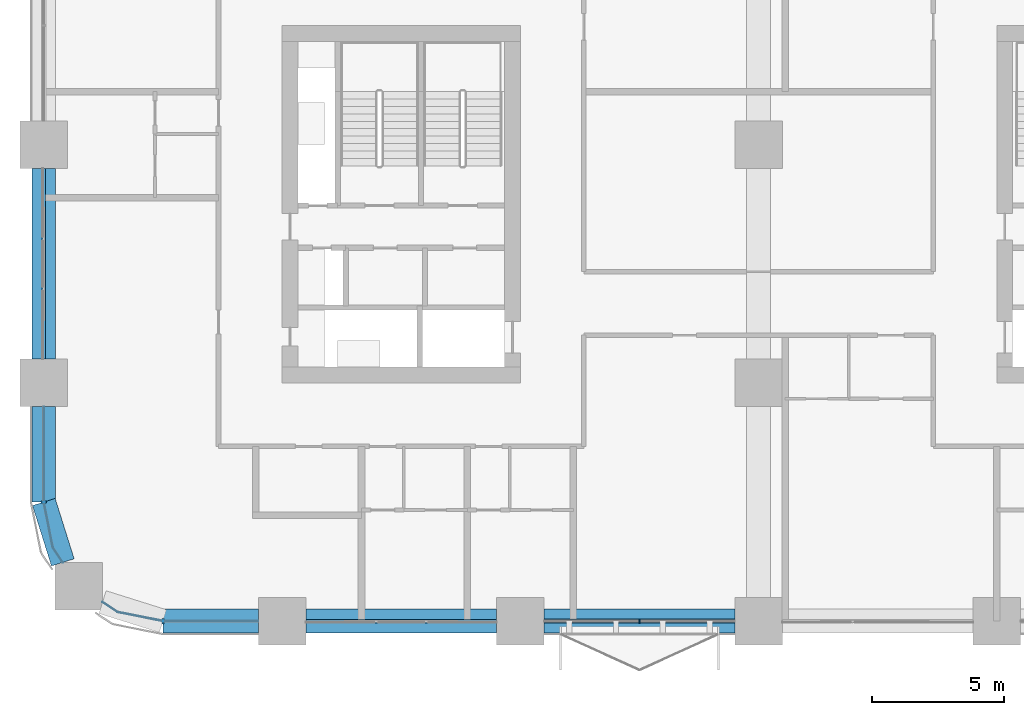
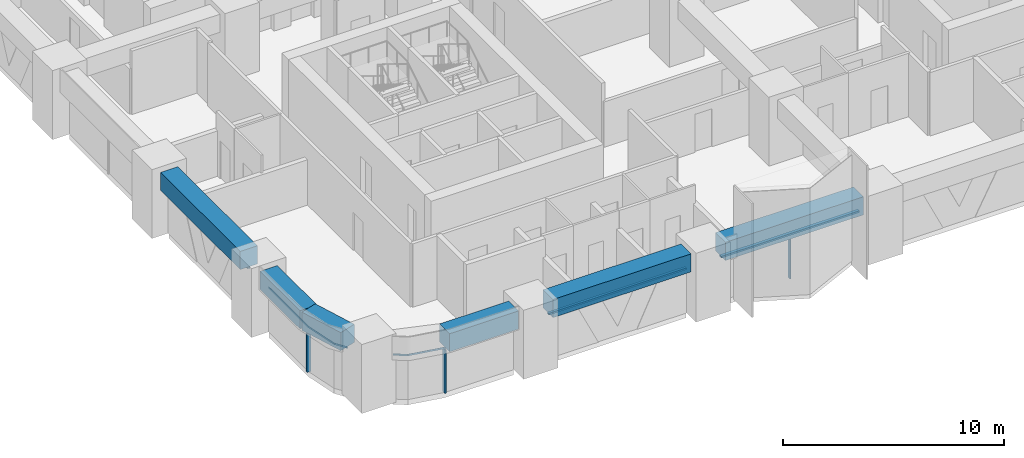
# One storey, part 2 of 24: 8 members, 6 beams, 5 elements without a shape of their own.
"""IFC4 building model written with IfcOpenShell, lengths in metres."""

from ifc_helpers import new_model, si_unit, direction, frame, origin, origin_2d, place, context, subcontext, project, spatial, polyline, rectangle, outline, extrude, material, material_profile, profile_set, type_object, element, aggregate, save


model = new_model("IFC4")

# Units and contexts
model_context = context("Model", 3, precision=1e-05, world=origin(), true_north=direction((0.0, 1.0)))
body_context = subcontext(model_context, "Body", "Model", "MODEL_VIEW")
ifc_project = project(units=[si_unit("LENGTHUNIT", "METRE"), si_unit("AREAUNIT", "SQUARE_METRE"), si_unit("VOLUMEUNIT", "CUBIC_METRE"), si_unit("PLANEANGLEUNIT", "RADIAN"), si_unit("MASSUNIT", "GRAM", prefix="KILO")], contexts=[model_context])

# Site, building, storey
site_placement = place(None, origin())
site = spatial("IfcSite", under=ifc_project, at=site_placement, CompositionType="ELEMENT")
building_placement = place(site_placement, origin())
building = spatial("IfcBuilding", under=site, at=building_placement, Name="Tessera Arch", CompositionType="ELEMENT")
storey_placement = place(building_placement, frame((0.0, 0.0, 38.60009765625)))
storey = spatial("IfcBuildingStorey", under=building, at=storey_placement, Name="L07", CompositionType="ELEMENT", Elevation=38.60009765625)

# Curtain wall, members
ifc_material_1 = material(Name="CW1 curtain wall")
curtain_wall_type_1 = type_object("IfcCurtainWallType", Name="CW1 curtain wall", PredefinedType="NOTDEFINED", material=ifc_material_1)
curtain_wall_1_placement = place(storey_placement, origin())
curtain_wall_1 = element("IfcCurtainWall", 1, at=curtain_wall_1_placement, inside=storey, type_object=curtain_wall_type_1, Name="CW1 curtain wall S0.0/1 L07", PredefinedType="NOTDEFINED")
ifc_material_2 = material(Name="Anodised aluminium pale metal", Category="aluminium")
ifc_material_profile_1 = material_profile(ifc_material_2, rectangle(XDim=0.159912109375, YDim=0.06005859375, at=origin_2d()), Name="AL 60x160")
ifc_profile_set_1 = profile_set([ifc_material_profile_1], Name="Anodised aluminium pale metal")
member_type_1 = type_object("IfcMemberType", Name="CW1 mullion", PredefinedType="MULLION", material=ifc_profile_set_1)
member_1_placement = place(storey_placement, frame((22.5, 0.0, 0.0), z_axis=(0.0, 0.0, 1.0), x_axis=(0.0, 1.0, 0.0)))
member_1 = element("IfcMember", 2, at=member_1_placement, type_object=member_type_1, Name="CW1 mullion S0.0/1 1", PredefinedType="MULLION", context=body_context, shape_type="SweptSolid", body=[
    extrude(rectangle(XDim=0.159912109375, YDim=0.06005859375, at=origin_2d()), origin(), (0.0, 0.0, 1.0), 2.39990234375),
])
ifc_material_3 = material(Name="Anodised aluminium pale metal", Category="aluminium")
ifc_material_profile_2 = material_profile(ifc_material_3, rectangle(XDim=0.159912109375, YDim=0.10009765625, at=origin_2d()), Name="AL 160x100")
ifc_profile_set_2 = profile_set([ifc_material_profile_2], Name="Anodised aluminium pale metal")
member_type_2 = type_object("IfcMemberType", Name="CW1 transom", PredefinedType="USERDEFINED", material=ifc_profile_set_2)
member_2_placement = place(storey_placement, frame((18.89990234375, 0.0, 2.449951171875), z_axis=(1.0, 0.0, 0.0), x_axis=(0.0, 1.0, 0.0)))
member_2 = element("IfcMember", 3, at=member_2_placement, type_object=member_type_2, Name="CW1 transom S0.0/1 1.1", ObjectType="TRANSOM", PredefinedType="USERDEFINED", context=body_context, shape_type="SweptSolid", body=[
    extrude(rectangle(XDim=0.159912109375, YDim=0.10009765625, at=origin_2d()), origin(), (0.0, 0.0, 1.0), 7.2001953125),
])
aggregate(curtain_wall_1, [member_1, member_2])

# Curtain wall, member
ifc_material_4 = material(Name="CW2 curtain wall")
curtain_wall_type_2 = type_object("IfcCurtainWallType", Name="CW2 curtain wall", PredefinedType="NOTDEFINED", material=ifc_material_4)
curtain_wall_2_placement = place(storey_placement, origin())
curtain_wall_2 = element("IfcCurtainWall", 4, at=curtain_wall_2_placement, inside=storey, type_object=curtain_wall_type_2, Name="CW2 curtain wall W0.0/5 L07", PredefinedType="NOTDEFINED")
ifc_material_5 = material(Name="Anodised aluminium pale metal", Category="aluminium")
ifc_material_profile_3 = material_profile(ifc_material_5, rectangle(XDim=0.199951171875, YDim=0.080078125, at=origin_2d()), Name="AL 80x200")
ifc_profile_set_3 = profile_set([ifc_material_profile_3], Name="Anodised aluminium pale metal")
member_type_3 = type_object("IfcMemberType", Name="CW2 mullion", PredefinedType="MULLION", material=ifc_profile_set_3)
member_3_placement = place(storey_placement, frame((0.0, 4.5, 0.0), z_axis=(0.0, 0.0, 1.0), x_axis=(1.0, 0.0, 0.0)))
member_3 = element("IfcMember", 5, at=member_3_placement, type_object=member_type_3, Name="CW2 mullion W0.0/5 1", PredefinedType="MULLION", context=body_context, shape_type="SweptSolid", body=[
    extrude(rectangle(XDim=0.199951171875, YDim=0.080078125, at=origin_2d()), origin(), (0.0, 0.0, 1.0), 2.39990234375),
])

curtain_wall_3_placement = place(storey_placement, origin())
curtain_wall_3 = element("IfcCurtainWall", 6, at=curtain_wall_3_placement, inside=storey, type_object=curtain_wall_type_2, Name="CW2 curtain wall S0.0/5 L07", PredefinedType="NOTDEFINED")
member_4_placement = place(storey_placement, frame((4.5, 0.0, 0.0), z_axis=(0.0, 0.0, 1.0), x_axis=(0.0, 1.0, 0.0)))
member_4 = element("IfcMember", 7, at=member_4_placement, type_object=member_type_3, Name="CW2 mullion S0.0/5 1", PredefinedType="MULLION", context=body_context, shape_type="SweptSolid", body=[
    extrude(rectangle(XDim=0.199951171875, YDim=0.080078125, at=origin_2d()), origin(), (0.0, 0.0, 1.0), 2.39990234375),
])

# Member
ifc_material_6 = material(Name="Anodised aluminium pale metal", Category="aluminium")
ifc_material_profile_4 = material_profile(ifc_material_6, rectangle(XDim=0.199951171875, YDim=0.10009765625, at=origin_2d()), Name="AL 200x100")
ifc_profile_set_4 = profile_set([ifc_material_profile_4], Name="Anodised aluminium pale metal")
member_type_4 = type_object("IfcMemberType", Name="CW2 transom", PredefinedType="USERDEFINED", material=ifc_profile_set_4)
member_5_placement = place(storey_placement, frame((0.0, 0.0, 2.39990234375)))
member_5 = element("IfcMember", 8, at=member_5_placement, type_object=member_type_4, Name="CW2 transom W0.0/5 1", ObjectType="TRANSOM", PredefinedType="USERDEFINED", context=body_context, shape_type="SweptSolid", body=[
    extrude(outline(polyline([(0.010009765625, 4.5009765625), (0.010009765625, 8.10009765625), (-0.010009765625, 8.10009765625), (-0.010009765625, 4.4990234375), (0.3330078125, 2.77392578125), (0.70849609375, 2.21240234375), (0.72509765625, 2.2236328125), (0.351806640625, 2.78173828125), (0.010009765625, 4.5009765625)])), origin(), (0.0, 0.0, 1.0), 0.10009765625),
])

aggregate(curtain_wall_2, [member_3, member_5])

member_6_placement = place(storey_placement, frame((0.0, 0.0, 2.39990234375)))
member_6 = element("IfcMember", 9, at=member_6_placement, type_object=member_type_4, Name="CW2 transom S0.0/5 1", ObjectType="TRANSOM", PredefinedType="USERDEFINED", context=body_context, shape_type="SweptSolid", body=[
    extrude(outline(polyline([(2.78173828125, 0.351806640625), (2.2236328125, 0.72509765625), (2.21240234375, 0.70849609375), (2.77392578125, 0.3330078125), (4.4990234375, -0.010009765625), (8.10009765625, -0.010009765625), (8.10009765625, 0.010009765625), (4.5009765625, 0.010009765625), (2.78173828125, 0.351806640625)])), origin(), (0.0, 0.0, 1.0), 0.10009765625),
])

aggregate(curtain_wall_3, [member_4, member_6])

# Curtain wall, member
ifc_material_7 = material(Name="CW3 curtain wall")
curtain_wall_type_3 = type_object("IfcCurtainWallType", Name="CW3 curtain wall", PredefinedType="NOTDEFINED", material=ifc_material_7)
curtain_wall_4_placement = place(storey_placement, origin())
curtain_wall_4 = element("IfcCurtainWall", 10, at=curtain_wall_4_placement, inside=storey, type_object=curtain_wall_type_3, Name="CW3 curtain wall S0.0/0 L07", PredefinedType="NOTDEFINED")
ifc_material_8 = material(Name="Anodised aluminium pale metal", Category="aluminium")
ifc_material_profile_5 = material_profile(ifc_material_8, rectangle(XDim=0.139892578125, YDim=0.10009765625, at=origin_2d()), Name="AL 140x100")
ifc_profile_set_5 = profile_set([ifc_material_profile_5], Name="Anodised aluminium pale metal")
member_type_5 = type_object("IfcMemberType", Name="CW3 transom", PredefinedType="USERDEFINED", material=ifc_profile_set_5)
member_7_placement = place(storey_placement, frame((9.89990234375, 0.0, 2.449951171875), z_axis=(1.0, 0.0, 0.0), x_axis=(0.0, 1.0, 0.0)))
member_7 = element("IfcMember", 11, at=member_7_placement, type_object=member_type_5, Name="CW3 transom S0.0/0 1.1", ObjectType="TRANSOM", PredefinedType="USERDEFINED", context=body_context, shape_type="SweptSolid", body=[
    extrude(rectangle(XDim=0.139892578125, YDim=0.10009765625, at=origin_2d()), origin(), (0.0, 0.0, 1.0), 7.2001953125),
])
aggregate(curtain_wall_4, [member_7])

curtain_wall_5_placement = place(storey_placement, origin())
curtain_wall_5 = element("IfcCurtainWall", 12, at=curtain_wall_5_placement, inside=storey, type_object=curtain_wall_type_3, Name="CW3 curtain wall W0.0/4 L07", PredefinedType="NOTDEFINED")
member_8_placement = place(storey_placement, frame((0.0, 17.10009765625, 2.449951171875), z_axis=(0.0, -1.0, 0.0), x_axis=(1.0, 0.0, 0.0)))
member_8 = element("IfcMember", 13, at=member_8_placement, type_object=member_type_5, Name="CW3 transom W0.0/4 1.1", ObjectType="TRANSOM", PredefinedType="USERDEFINED", context=body_context, shape_type="SweptSolid", body=[
    extrude(rectangle(XDim=0.139892578125, YDim=0.10009765625, at=origin_2d()), origin(), (0.0, 0.0, 1.0), 7.2001953125),
])
aggregate(curtain_wall_5, [member_8])

# Beams
ifc_material_9 = material(Name="Concrete C80/95", Category="concrete")
ifc_material_profile_6 = material_profile(ifc_material_9, rectangle(XDim=0.89990234375, YDim=1.0, at=origin_2d()), Name="RC spandrel beam 900 x 1000 Concrete C80/95")
ifc_profile_set_6 = profile_set([ifc_material_profile_6], Name="Concrete C80/95")
beam_type = type_object("IfcBeamType", Name="RC spandrel beam 900 x 1000 Concrete C80/95", PredefinedType="BEAM", material=ifc_profile_set_6)
for number, where, z_axis, x_axis, name in (
    (14, (9.89990234375, 0.0, 3.0), (1.0, 0.0, 0.0), (0.0, 1.0, 0.0), "Spandrel beam L07 S0.0/0"),
    (15, (18.89990234375, 0.0, 3.0), (1.0, 0.0, 0.0), (0.0, 1.0, 0.0), "Spandrel beam L07 S0.0/1"),
    (16, (0.0, 17.10009765625, 3.0), (0.0, -1.0, 0.0), (1.0, 0.0, 0.0), "Spandrel beam L07 W0.0/4"),
):
    element("IfcBeam", number, at=place(storey_placement, frame(where, z_axis=z_axis, x_axis=x_axis)), inside=storey, type_object=beam_type, Name=name, PredefinedType="BEAM", context=body_context, shape_type="SweptSolid", body=[
        extrude(rectangle(XDim=0.89990234375, YDim=1.0, at=origin_2d()), origin(), (0.0, 0.0, 1.0), 7.2001953125),
    ])
beam_1_placement = place(storey_placement, frame((0.0, 8.10009765625, 3.0), z_axis=(0.0, -1.0, 0.0), x_axis=(1.0, 0.0, 0.0)))
element("IfcBeam", 17, at=beam_1_placement, inside=storey, type_object=beam_type, Name="Spandrel beam L07 W0.0/5.1", PredefinedType="BEAM", context=body_context, shape_type="SweptSolid", body=[
    extrude(rectangle(XDim=0.89990234375, YDim=1.0, at=origin_2d()), origin(), (0.0, 0.0, 1.0), 3.60009765625),
])
beam_2_placement = place(storey_placement, frame((0.0, 4.5, 3.0), z_axis=(0.299675309057, -0.954041251279, 0.0), x_axis=(0.954041251279, 0.299675309057, 0.0)))
element("IfcBeam", 18, at=beam_2_placement, inside=storey, type_object=beam_type, Name="Spandrel beam L07 W0.0/5.2", PredefinedType="BEAM", context=body_context, shape_type="SweptSolid", body=[
    extrude(rectangle(XDim=0.89990234375, YDim=1.0, at=origin_2d()), origin(), (0.0, 0.0, 1.0), 2.391845703125),
])
beam_3_placement = place(storey_placement, frame((4.5, 0.0, 3.0), z_axis=(1.0, 0.0, 0.0), x_axis=(0.0, 1.0, 0.0)))
element("IfcBeam", 19, at=beam_3_placement, inside=storey, type_object=beam_type, Name="Spandrel beam L07 S0.0/5.2", PredefinedType="BEAM", context=body_context, shape_type="SweptSolid", body=[
    extrude(rectangle(XDim=0.89990234375, YDim=1.0, at=origin_2d()), origin(), (0.0, 0.0, 1.0), 3.60009765625),
])

save(model, "model.ifc")
